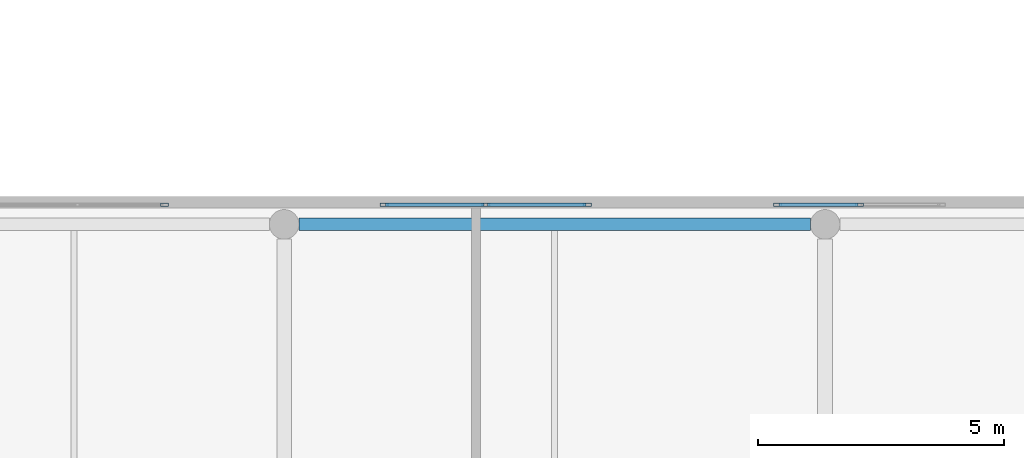
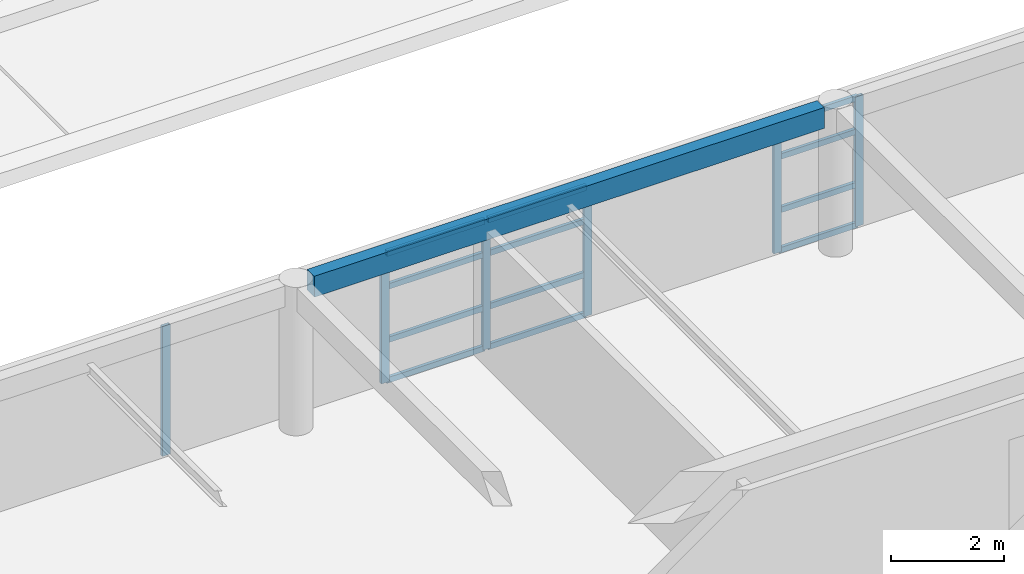
# One storey, part 58 of 128: 18 members, 1 beam, 3 elements without a shape of their own.
"""IFC4 building model written with IfcOpenShell, lengths in metres."""

from ifc_helpers import new_model, si_unit, direction, frame, origin, origin_2d, place, context, subcontext, project, spatial, rectangle, hollow_rectangle, extrude, material, layer, layer_set, material_profile, profile_set, type_object, element, aggregate, save


model = new_model("IFC4")

# Units and contexts
model_context = context("Model", 3, precision=1e-05, world=origin(), true_north=direction((0.0, 1.0)))
body_context = subcontext(model_context, "Body", "Model", "MODEL_VIEW")
ifc_project = project(units=[si_unit("LENGTHUNIT", "METRE"), si_unit("AREAUNIT", "SQUARE_METRE"), si_unit("VOLUMEUNIT", "CUBIC_METRE"), si_unit("PLANEANGLEUNIT", "RADIAN"), si_unit("MASSUNIT", "GRAM", prefix="KILO")], contexts=[model_context])

# Site, building, storey
site_placement = place(None, origin())
site = spatial("IfcSite", under=ifc_project, at=site_placement, CompositionType="ELEMENT")
building_placement = place(site_placement, origin())
building = spatial("IfcBuilding", under=site, at=building_placement, Name="Keldmere Railside Commons", CompositionType="ELEMENT")
storey_placement = place(building_placement, frame((0.0, 0.0, 4.159912109375)))
storey = spatial("IfcBuildingStorey", under=building, at=storey_placement, Name="L01", CompositionType="ELEMENT", Elevation=4.159912109375)

# Beam
ifc_material_1 = material(Name="Architectural Precast Concrete H-35 (C35/45)", Category="concrete")
ifc_material_profile_1 = material_profile(ifc_material_1, rectangle(XDim=0.25, YDim=0.449951171875, at=origin_2d()), Name="RC-250x450")
ifc_profile_set_1 = profile_set([ifc_material_profile_1], Name="Architectural Precast Concrete H-35 (C35/45)")
beam_type = type_object("IfcBeamType", Name="Perimeter Precast Spandrel Beam 250x450", PredefinedType="SPANDREL", material=ifc_profile_set_1)
beam_placement = place(storey_placement, frame((137.300048828125, 39.550048828125, 2.97509765625), z_axis=(1.0, 0.0, 0.0), x_axis=(0.0, 1.0, 0.0)))
element("IfcBeam", 1, at=beam_placement, inside=storey, type_object=beam_type, Name="SPB-1 BM-L01-0775", PredefinedType="SPANDREL", context=body_context, shape_type="SweptSolid", body=[
    extrude(rectangle(XDim=0.25, YDim=0.449951171875, at=origin_2d()), origin(), (0.0, 0.0, 1.0), 10.39990234375),
])

# Curtain wall, member
ifc_material_2 = material(Name="Thermally Broken Aluminium", Category="aluminium")
ifc_layer_1 = layer(ifc_material_2, 0.159912109375, Name="Market Arcade Upper Gallery CW 3600x2800")
ifc_layer_set_1 = layer_set([ifc_layer_1], Name="Thermally Broken Aluminium")
curtain_wall_type_1 = type_object("IfcCurtainWallType", Name="Market Arcade Upper Gallery CW 3600x2800", PredefinedType="NOTDEFINED", material=ifc_layer_set_1)
curtain_wall_1_placement = place(storey_placement, origin())
curtain_wall_1 = element("IfcCurtainWall", 2, at=curtain_wall_1_placement, inside=storey, type_object=curtain_wall_type_1, Name="CW-03 CW-L01-218", PredefinedType="NOTDEFINED")
ifc_material_profile_2 = material_profile(ifc_material_2, hollow_rectangle(XDim=0.06494140625, YDim=0.159912109375, WallThickness=0.00390625, at=origin_2d()), Name="ALU-MULL-65x160")
ifc_profile_set_2 = profile_set([ifc_material_profile_2], Name="Thermally Broken Aluminium")
member_type_1 = type_object("IfcMemberType", Name="Unitised Curtain Wall Mullion 65x160", PredefinedType="MULLION", material=ifc_profile_set_2)
member_1_placement = place(storey_placement, frame((134.5673828125, 39.949951171875, 0.0), z_axis=(0.0, 0.0, 1.0), x_axis=(0.0, 1.0, 0.0)))
member_1 = element("IfcMember", 3, at=member_1_placement, type_object=member_type_1, Name="CW-03 mullion 3", PredefinedType="MULLION", context=body_context, shape_type="SweptSolid", body=[
    extrude(hollow_rectangle(XDim=0.06494140625, YDim=0.159912109375, WallThickness=0.00390625, at=origin_2d()), origin(), (0.0, 0.0, 1.0), 2.800048828125),
])
aggregate(curtain_wall_1, [member_1])

# Curtain wall, members
ifc_layer_2 = layer(ifc_material_2, 0.159912109375, Name="Market Arcade Upper Gallery CW 4200x2800")
ifc_layer_set_2 = layer_set([ifc_layer_2], Name="Thermally Broken Aluminium")
curtain_wall_type_2 = type_object("IfcCurtainWallType", Name="Market Arcade Upper Gallery CW 4200x2800", PredefinedType="NOTDEFINED", material=ifc_layer_set_2)
curtain_wall_2_placement = place(storey_placement, origin())
curtain_wall_2 = element("IfcCurtainWall", 4, at=curtain_wall_2_placement, inside=storey, type_object=curtain_wall_type_2, Name="CW-04 CW-L01-219", PredefinedType="NOTDEFINED")
member_2_placement = place(storey_placement, frame((139.032470703125, 39.949951171875, 0.0), z_axis=(0.0, 0.0, 1.0), x_axis=(0.0, 1.0, 0.0)))
member_2 = element("IfcMember", 5, at=member_2_placement, type_object=member_type_1, Name="CW-04 mullion 1", PredefinedType="MULLION", context=body_context, shape_type="SweptSolid", body=[
    extrude(hollow_rectangle(XDim=0.06494140625, YDim=0.159912109375, WallThickness=0.00390625, at=origin_2d()), origin(), (0.0, 0.0, 1.0), 2.800048828125),
])
member_3_placement = place(storey_placement, frame((141.10009765625, 39.949951171875, 0.0), z_axis=(0.0, 0.0, 1.0), x_axis=(0.0, 1.0, 0.0)))
member_3 = element("IfcMember", 6, at=member_3_placement, type_object=member_type_1, Name="CW-04 mullion 2", PredefinedType="MULLION", context=body_context, shape_type="SweptSolid", body=[
    extrude(hollow_rectangle(XDim=0.06494140625, YDim=0.159912109375, WallThickness=0.00390625, at=origin_2d()), origin(), (0.0, 0.0, 1.0), 2.800048828125),
])
member_4_placement = place(storey_placement, frame((143.16748046875, 39.949951171875, 0.0), z_axis=(0.0, 0.0, 1.0), x_axis=(0.0, 1.0, 0.0)))
member_4 = element("IfcMember", 7, at=member_4_placement, type_object=member_type_1, Name="CW-04 mullion 3", PredefinedType="MULLION", context=body_context, shape_type="SweptSolid", body=[
    extrude(hollow_rectangle(XDim=0.06494140625, YDim=0.159912109375, WallThickness=0.00390625, at=origin_2d()), origin(), (0.0, 0.0, 1.0), 2.800048828125),
])

ifc_layer_3 = layer(ifc_material_2, 0.159912109375, Name="Sky-Terrace Lounge CW 3400x2850")
ifc_layer_set_3 = layer_set([ifc_layer_3], Name="Thermally Broken Aluminium")
curtain_wall_type_3 = type_object("IfcCurtainWallType", Name="Sky-Terrace Lounge CW 3400x2850", PredefinedType="NOTDEFINED", material=ifc_layer_set_3)
curtain_wall_3_placement = place(storey_placement, origin())
curtain_wall_3 = element("IfcCurtainWall", 8, at=curtain_wall_3_placement, inside=storey, type_object=curtain_wall_type_3, Name="CW-14 CW-L01-220", PredefinedType="NOTDEFINED")
member_5_placement = place(storey_placement, frame((147.032470703125, 39.949951171875, 0.0), z_axis=(0.0, 0.0, 1.0), x_axis=(0.0, 1.0, 0.0)))
member_5 = element("IfcMember", 9, at=member_5_placement, type_object=member_type_1, Name="CW-14 mullion 1", PredefinedType="MULLION", context=body_context, shape_type="SweptSolid", body=[
    extrude(hollow_rectangle(XDim=0.06494140625, YDim=0.159912109375, WallThickness=0.00390625, at=origin_2d()), origin(), (0.0, 0.0, 1.0), 2.800048828125),
])
member_6_placement = place(storey_placement, frame((148.699951171875, 39.949951171875, 0.0), z_axis=(0.0, 0.0, 1.0), x_axis=(0.0, 1.0, 0.0)))
member_6 = element("IfcMember", 10, at=member_6_placement, type_object=member_type_1, Name="CW-14 mullion 2", PredefinedType="MULLION", context=body_context, shape_type="SweptSolid", body=[
    extrude(hollow_rectangle(XDim=0.06494140625, YDim=0.159912109375, WallThickness=0.00390625, at=origin_2d()), origin(), (0.0, 0.0, 1.0), 2.800048828125),
])

# Member
ifc_material_profile_3 = material_profile(ifc_material_2, hollow_rectangle(XDim=0.06494140625, YDim=0.1201171875, WallThickness=0.00390625, at=origin_2d()), Name="ALU-TRAN-65x120")
ifc_profile_set_3 = profile_set([ifc_material_profile_3], Name="Thermally Broken Aluminium")
member_type_2 = type_object("IfcMemberType", Name="Unitised Curtain Wall Transom 65x120", PredefinedType="USERDEFINED", material=ifc_profile_set_3)
member_7_placement = place(storey_placement, frame((139.06494140625, 39.949951171875, 0.032470703125), z_axis=(1.0, 0.0, 0.0), x_axis=(0.0, 1.0, 0.0)))
member_7 = element("IfcMember", 11, at=member_7_placement, type_object=member_type_2, Name="CW-04 transom 1.1", ObjectType="TRANSOM", PredefinedType="USERDEFINED", context=body_context, shape_type="SweptSolid", body=[
    extrude(hollow_rectangle(XDim=0.06494140625, YDim=0.1201171875, WallThickness=0.00390625, at=origin_2d()), origin(), (0.0, 0.0, 1.0), 2.00244140625),
])

member_8_placement = place(storey_placement, frame((139.06494140625, 39.949951171875, 0.900146484375), z_axis=(1.0, 0.0, 0.0), x_axis=(0.0, 1.0, 0.0)))
member_8 = element("IfcMember", 12, at=member_8_placement, type_object=member_type_2, Name="CW-04 transom 1.2", ObjectType="TRANSOM", PredefinedType="USERDEFINED", context=body_context, shape_type="SweptSolid", body=[
    extrude(hollow_rectangle(XDim=0.06494140625, YDim=0.1201171875, WallThickness=0.00390625, at=origin_2d()), origin(), (0.0, 0.0, 1.0), 2.00244140625),
])

member_9_placement = place(storey_placement, frame((139.06494140625, 39.949951171875, 2.050048828125), z_axis=(1.0, 0.0, 0.0), x_axis=(0.0, 1.0, 0.0)))
member_9 = element("IfcMember", 13, at=member_9_placement, type_object=member_type_2, Name="CW-04 transom 1.3", ObjectType="TRANSOM", PredefinedType="USERDEFINED", context=body_context, shape_type="SweptSolid", body=[
    extrude(hollow_rectangle(XDim=0.06494140625, YDim=0.1201171875, WallThickness=0.00390625, at=origin_2d()), origin(), (0.0, 0.0, 1.0), 2.00244140625),
])

member_10_placement = place(storey_placement, frame((139.06494140625, 39.949951171875, 2.767578125), z_axis=(1.0, 0.0, 0.0), x_axis=(0.0, 1.0, 0.0)))
member_10 = element("IfcMember", 14, at=member_10_placement, type_object=member_type_2, Name="CW-04 transom 1.4", ObjectType="TRANSOM", PredefinedType="USERDEFINED", context=body_context, shape_type="SweptSolid", body=[
    extrude(hollow_rectangle(XDim=0.06494140625, YDim=0.1201171875, WallThickness=0.00390625, at=origin_2d()), origin(), (0.0, 0.0, 1.0), 2.00244140625),
])

member_11_placement = place(storey_placement, frame((141.132568359375, 39.949951171875, 0.032470703125), z_axis=(1.0, 0.0, 0.0), x_axis=(0.0, 1.0, 0.0)))
member_11 = element("IfcMember", 15, at=member_11_placement, type_object=member_type_2, Name="CW-04 transom 2.1", ObjectType="TRANSOM", PredefinedType="USERDEFINED", context=body_context, shape_type="SweptSolid", body=[
    extrude(hollow_rectangle(XDim=0.06494140625, YDim=0.1201171875, WallThickness=0.00390625, at=origin_2d()), origin(), (0.0, 0.0, 1.0), 2.00244140625),
])

member_12_placement = place(storey_placement, frame((141.132568359375, 39.949951171875, 0.900146484375), z_axis=(1.0, 0.0, 0.0), x_axis=(0.0, 1.0, 0.0)))
member_12 = element("IfcMember", 16, at=member_12_placement, type_object=member_type_2, Name="CW-04 transom 2.2", ObjectType="TRANSOM", PredefinedType="USERDEFINED", context=body_context, shape_type="SweptSolid", body=[
    extrude(hollow_rectangle(XDim=0.06494140625, YDim=0.1201171875, WallThickness=0.00390625, at=origin_2d()), origin(), (0.0, 0.0, 1.0), 2.00244140625),
])

member_13_placement = place(storey_placement, frame((141.132568359375, 39.949951171875, 2.050048828125), z_axis=(1.0, 0.0, 0.0), x_axis=(0.0, 1.0, 0.0)))
member_13 = element("IfcMember", 17, at=member_13_placement, type_object=member_type_2, Name="CW-04 transom 2.3", ObjectType="TRANSOM", PredefinedType="USERDEFINED", context=body_context, shape_type="SweptSolid", body=[
    extrude(hollow_rectangle(XDim=0.06494140625, YDim=0.1201171875, WallThickness=0.00390625, at=origin_2d()), origin(), (0.0, 0.0, 1.0), 2.00244140625),
])

member_14_placement = place(storey_placement, frame((141.132568359375, 39.949951171875, 2.767578125), z_axis=(1.0, 0.0, 0.0), x_axis=(0.0, 1.0, 0.0)))
member_14 = element("IfcMember", 18, at=member_14_placement, type_object=member_type_2, Name="CW-04 transom 2.4", ObjectType="TRANSOM", PredefinedType="USERDEFINED", context=body_context, shape_type="SweptSolid", body=[
    extrude(hollow_rectangle(XDim=0.06494140625, YDim=0.1201171875, WallThickness=0.00390625, at=origin_2d()), origin(), (0.0, 0.0, 1.0), 2.00244140625),
])

aggregate(curtain_wall_2, [member_2, member_3, member_4, member_7, member_8, member_9, member_10, member_11, member_12, member_13, member_14])

member_15_placement = place(storey_placement, frame((147.06494140625, 39.949951171875, 0.032470703125), z_axis=(1.0, 0.0, 0.0), x_axis=(0.0, 1.0, 0.0)))
member_15 = element("IfcMember", 19, at=member_15_placement, type_object=member_type_2, Name="CW-14 transom 1.1", ObjectType="TRANSOM", PredefinedType="USERDEFINED", context=body_context, shape_type="SweptSolid", body=[
    extrude(hollow_rectangle(XDim=0.06494140625, YDim=0.1201171875, WallThickness=0.00390625, at=origin_2d()), origin(), (0.0, 0.0, 1.0), 1.6025390625),
])

member_16_placement = place(storey_placement, frame((147.06494140625, 39.949951171875, 0.900146484375), z_axis=(1.0, 0.0, 0.0), x_axis=(0.0, 1.0, 0.0)))
member_16 = element("IfcMember", 20, at=member_16_placement, type_object=member_type_2, Name="CW-14 transom 1.2", ObjectType="TRANSOM", PredefinedType="USERDEFINED", context=body_context, shape_type="SweptSolid", body=[
    extrude(hollow_rectangle(XDim=0.06494140625, YDim=0.1201171875, WallThickness=0.00390625, at=origin_2d()), origin(), (0.0, 0.0, 1.0), 1.6025390625),
])

member_17_placement = place(storey_placement, frame((147.06494140625, 39.949951171875, 2.050048828125), z_axis=(1.0, 0.0, 0.0), x_axis=(0.0, 1.0, 0.0)))
member_17 = element("IfcMember", 21, at=member_17_placement, type_object=member_type_2, Name="CW-14 transom 1.3", ObjectType="TRANSOM", PredefinedType="USERDEFINED", context=body_context, shape_type="SweptSolid", body=[
    extrude(hollow_rectangle(XDim=0.06494140625, YDim=0.1201171875, WallThickness=0.00390625, at=origin_2d()), origin(), (0.0, 0.0, 1.0), 1.6025390625),
])

member_18_placement = place(storey_placement, frame((147.06494140625, 39.949951171875, 2.767578125), z_axis=(1.0, 0.0, 0.0), x_axis=(0.0, 1.0, 0.0)))
member_18 = element("IfcMember", 22, at=member_18_placement, type_object=member_type_2, Name="CW-14 transom 1.4", ObjectType="TRANSOM", PredefinedType="USERDEFINED", context=body_context, shape_type="SweptSolid", body=[
    extrude(hollow_rectangle(XDim=0.06494140625, YDim=0.1201171875, WallThickness=0.00390625, at=origin_2d()), origin(), (0.0, 0.0, 1.0), 1.6025390625),
])

aggregate(curtain_wall_3, [member_5, member_6, member_15, member_16, member_17, member_18])

save(model, "model.ifc")
